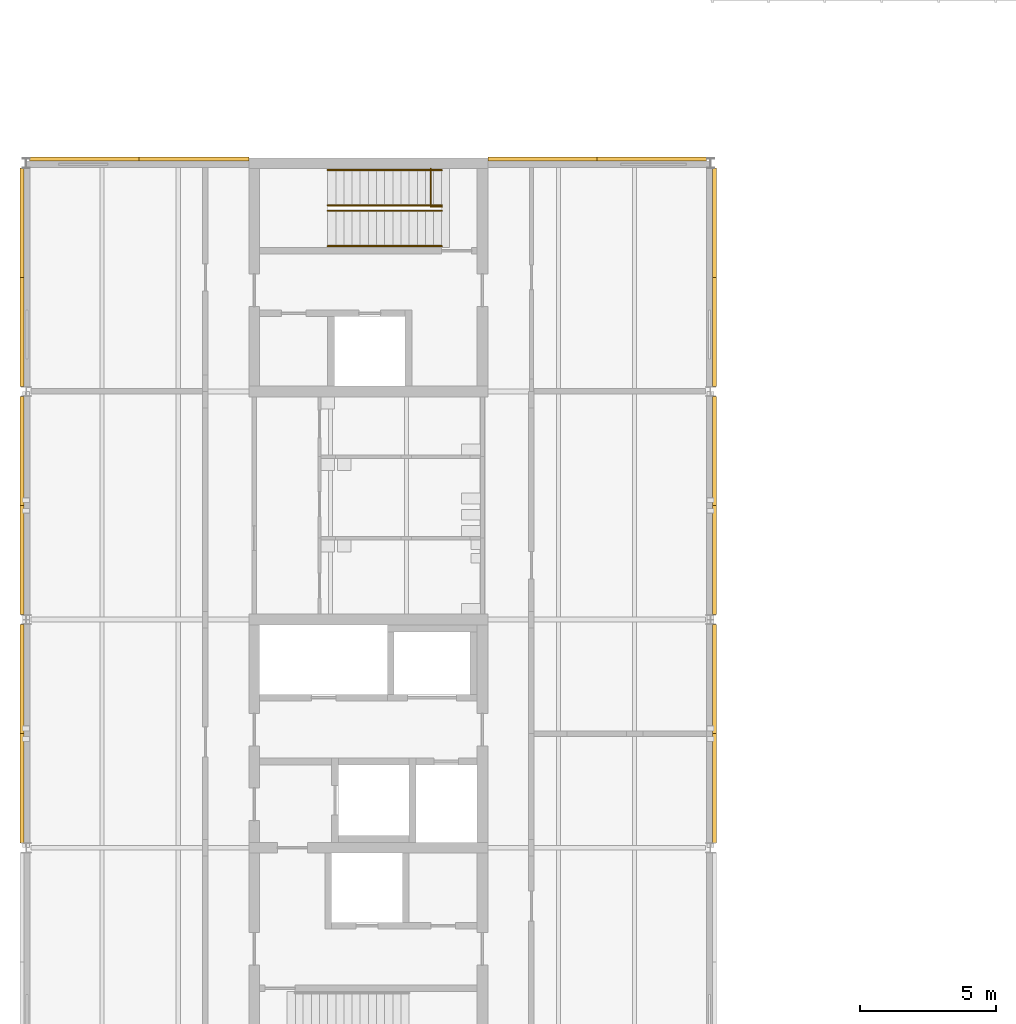
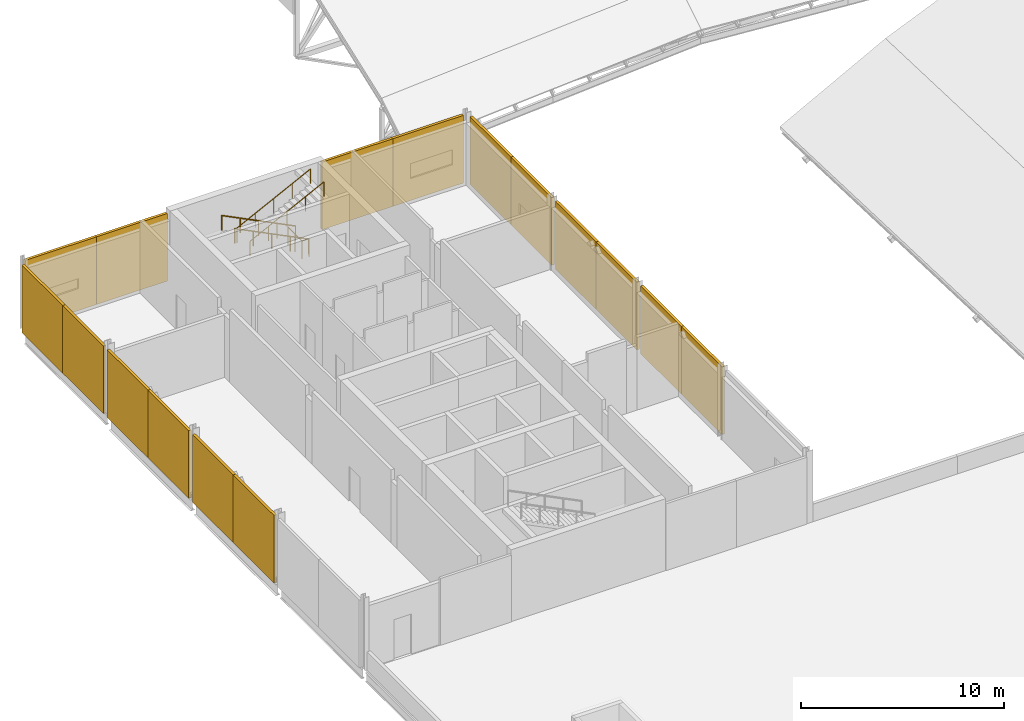
# One storey, part 71 of 76: 16 shading devices, 5 railings.
"""IFC4 building model written with IfcOpenShell, lengths in metres."""

import ifcopenshell
import ifcopenshell.guid

model = None  # the IFC model being written
_history = None  # IfcOwnerHistory: only IFC2X3 demands one
_inside = {}  # id of a spatial element -> (the spatial element, [elements in it])
_under = {}  # id of a project, library or spatial element -> (it, [spatial elements below it])
_declared = {}  # id of a project -> (the project, [libraries it declares])
_typed = {}  # id of a type object -> (the type object, [elements of that type])
_made_of = {}  # id of a material, layer set ... -> (it, [elements and type objects made of it])


def new_model(schema):
    """Start an empty IFC model of exactly this schema.

    Asked for "IFC4X3", IfcOpenShell would pick the latest addendum, in which some entities
    have other attributes; the version numbers below select the first issue.
    IFC2X3 requires an IfcOwnerHistory on every rooted entity: one is made here for all.
    """
    global model, _history
    if schema == "IFC4X3":
        model = ifcopenshell.file(schema_version=(4, 3, 0, 0))
    else:
        model = ifcopenshell.file(schema=schema)
    _inside.clear()
    _under.clear()
    _declared.clear()
    _typed.clear()
    _made_of.clear()
    _history = None
    if model.schema == "IFC2X3":
        org = make("IfcOrganization", Name="unknown")
        user = make(
            "IfcPersonAndOrganization",
            ThePerson=make("IfcPerson", FamilyName="unknown"),
            TheOrganization=org,
        )
        app = make(
            "IfcApplication",
            ApplicationDeveloper=org,
            Version="unknown",
            ApplicationFullName="unknown",
            ApplicationIdentifier="unknown",
        )
        _history = make(
            "IfcOwnerHistory",
            OwningUser=user,
            OwningApplication=app,
            ChangeAction="ADDED",
            CreationDate=0,
        )
    return model


def make(cls, **values):
    """One entity of the class cls with the attributes given. An attribute that is None is left unset."""
    return model.create_entity(
        cls, **{name: value for name, value in values.items() if value is not None}
    )


def rooted(cls, **values):
    """An entity with a GlobalId (a new one), such as an element, a storey or a relation."""
    return make(cls, GlobalId=ifcopenshell.guid.new(), OwnerHistory=_history, **values)


def si_unit(unit_type, name, prefix=None):
    """IfcSIUnit, for example si_unit("LENGTHUNIT", "METRE", prefix="MILLI")."""
    return make("IfcSIUnit", UnitType=unit_type, Prefix=prefix, Name=name)


def assignment(units):
    """IfcUnitAssignment: the units of a project."""
    return None if units is None else make("IfcUnitAssignment", Units=units)


def point(xyz):
    """IfcCartesianPoint."""
    return None if xyz is None else make("IfcCartesianPoint", Coordinates=xyz)


def direction(xyz):
    """IfcDirection."""
    return None if xyz is None else make("IfcDirection", DirectionRatios=xyz)


def frame(location, z_axis=None, x_axis=None):
    """IfcAxis2Placement3D, a coordinate frame: its origin and axes. An axis left out is left unset."""
    return make(
        "IfcAxis2Placement3D",
        Location=point(location),
        Axis=direction(z_axis),
        RefDirection=direction(x_axis),
    )


def frame_2d(location, x_axis=None):
    """IfcAxis2Placement2D, a coordinate frame in the plane: its origin and x axis."""
    return make(
        "IfcAxis2Placement2D", Location=point(location), RefDirection=direction(x_axis)
    )


def origin():
    """The frame at (0, 0, 0) with its axes left unset."""
    return frame((0.0, 0.0, 0.0))


def origin_2d():
    """The frame at (0, 0) in the plane with its x axis left unset."""
    return frame_2d((0.0, 0.0))


def place(relative_to, where):
    """IfcLocalPlacement: puts the frame where relative to a parent placement (None: the world)."""
    return make(
        "IfcLocalPlacement", PlacementRelTo=relative_to, RelativePlacement=where
    )


def context(
    kind, dimensions, precision=None, world=None, true_north=None, identifier=None
):
    """IfcGeometricRepresentationContext, for example the 3D "Model" context."""
    return make(
        "IfcGeometricRepresentationContext",
        ContextIdentifier=identifier,
        ContextType=kind,
        CoordinateSpaceDimension=dimensions,
        Precision=precision,
        WorldCoordinateSystem=world,
        TrueNorth=true_north,
    )


def subcontext(parent, identifier, kind, view, scale=None):
    """IfcGeometricRepresentationSubContext, for example "Body" below "Model"."""
    return make(
        "IfcGeometricRepresentationSubContext",
        ContextIdentifier=identifier,
        ContextType=kind,
        ParentContext=parent,
        TargetScale=scale,
        TargetView=view,
    )


def project(units=None, contexts=None):
    """IfcProject with its units and contexts."""
    return rooted(
        "IfcProject",
        Name="project",
        RepresentationContexts=contexts,
        UnitsInContext=assignment(units),
    )


def spatial(cls, under=None, at=None, **own):
    """A site, building, storey or space (cls), placed at a placement, below another one or the project."""
    s = rooted(cls, ObjectPlacement=at, **own)
    if under is not None:
        _under.setdefault(under.id(), (under, []))[1].append(s)
    return s


def profile(cls, at=None, kind="AREA", **sizes):
    """A parametric profile (cls). Its sizes go by their IFC names, for example OverallWidth=200.0."""
    return make(cls, ProfileType=kind, Position=at, **sizes)


def rectangle(**sizes):
    """IfcRectangleProfileDef."""
    return profile("IfcRectangleProfileDef", **sizes)


def circle(**sizes):
    """IfcCircleProfileDef."""
    return profile("IfcCircleProfileDef", **sizes)


def extrude(swept, where, along, depth):
    """IfcExtrudedAreaSolid: the profile swept, set in the frame where, extruded along a direction by depth."""
    return make(
        "IfcExtrudedAreaSolid",
        SweptArea=swept,
        Position=where,
        ExtrudedDirection=direction(along),
        Depth=depth,
    )


def shape(context_of_items, identifier, shape_type, items):
    """IfcShapeRepresentation: the items that make up one representation, for example the "Body"."""
    return make(
        "IfcShapeRepresentation",
        ContextOfItems=context_of_items,
        RepresentationIdentifier=identifier,
        RepresentationType=shape_type,
        Items=items,
    )


def material(Name=None, Category=None):
    """IfcMaterial."""
    return make("IfcMaterial", Name=Name, Category=Category)


def layer(
    of_material, thickness, ventilated=None, Name=None, Category=None, Priority=None
):
    """IfcMaterialLayer: one layer of a wall or slab, of a material (None: an air gap)."""
    return make(
        "IfcMaterialLayer",
        Material=of_material,
        LayerThickness=thickness,
        IsVentilated=ventilated,
        Name=Name,
        Category=Category,
        Priority=Priority,
    )


def layer_set(layers, Name=None):
    """IfcMaterialLayerSet."""
    return make("IfcMaterialLayerSet", MaterialLayers=layers, LayerSetName=Name)


def made_of(thing, what):
    """Note that an element or type object is made of a material, layer set ...; save() writes the relation."""
    if what is not None:
        _made_of.setdefault(what.id(), (what, []))[1].append(thing)
    return thing


def type_object(cls, material=None, **own):
    """A type object (cls), such as IfcWallType, which elements share."""
    return made_of(rooted(cls, **own), material)


def element(
    cls,
    number,
    at=None,
    inside=None,
    cuts=None,
    type_object=None,
    material=None,
    context=None,
    identifier="Body",
    shape_type=None,
    held_by="IfcProductDefinitionShape",
    body=None,
    shapes=None,
    **own,
):
    """One element of the class cls, such as IfcWall. Its Tag is "e" and its number.

    at: its placement. inside: the storey or other place that contains it. cuts: it is an
    opening in that element (IfcRelVoidsElement). A single representation is given by context,
    identifier, shape_type and body (its items); several are given by shapes. held_by: the class
    of the entity that holds the representations. save() writes the other relations.
    """
    e = rooted(cls, Tag="e%d" % number, ObjectPlacement=at, **own)
    if body is not None:
        shapes = [shape(context, identifier, shape_type, body)]
    if shapes is not None:
        e.Representation = make(held_by, Representations=shapes)
    if inside is not None:
        _inside.setdefault(inside.id(), (inside, []))[1].append(e)
    if cuts is not None:
        rooted(
            "IfcRelVoidsElement", RelatingBuildingElement=cuts, RelatedOpeningElement=e
        )
    if type_object is not None:
        _typed.setdefault(type_object.id(), (type_object, []))[1].append(e)
    return made_of(e, material)


def aggregate(whole, parts):
    """IfcRelAggregates: a whole, such as a stair, and the parts it consists of."""
    return rooted("IfcRelAggregates", RelatingObject=whole, RelatedObjects=parts)


def save(model, path):
    """Write the relations noted so far, then the file.

    IfcRelAggregates (storeys below a building ...), IfcRelContainedInSpatialStructure (elements
    in a storey), IfcRelDefinesByType, IfcRelAssociatesMaterial and IfcRelDeclares: one each for
    every whole, place, type object, material and project.
    """
    for whole, parts in _under.values():
        aggregate(whole, parts)
    for where, things in _inside.values():
        rooted(
            "IfcRelContainedInSpatialStructure",
            RelatedElements=things,
            RelatingStructure=where,
        )
    for kind, things in _typed.values():
        rooted("IfcRelDefinesByType", RelatedObjects=things, RelatingType=kind)
    for what, things in _made_of.values():
        rooted("IfcRelAssociatesMaterial", RelatedObjects=things, RelatingMaterial=what)
    for by, libraries in _declared.values():
        rooted("IfcRelDeclares", RelatingContext=by, RelatedDefinitions=libraries)
    model.write(path)


model = new_model("IFC4")

# Units and contexts
model_context = context("Model", 3, precision=1e-05, world=origin(), true_north=direction((0.0, 1.0)))
body_context = subcontext(model_context, "Body", "Model", "MODEL_VIEW")
ifc_project = project(units=[si_unit("LENGTHUNIT", "METRE"), si_unit("AREAUNIT", "SQUARE_METRE"), si_unit("VOLUMEUNIT", "CUBIC_METRE"), si_unit("PLANEANGLEUNIT", "RADIAN"), si_unit("MASSUNIT", "GRAM", prefix="KILO")], contexts=[model_context])

# Site, building, storey
site_placement = place(None, origin())
site = spatial("IfcSite", under=ifc_project, at=site_placement, CompositionType="ELEMENT")
building_placement = place(site_placement, origin())
building = spatial("IfcBuilding", under=site, at=building_placement, Name="Hlaing Beacon Police Headquarters", CompositionType="ELEMENT")
storey_placement = place(building_placement, frame((0.0, 0.0, 18.89990234375)))
storey = spatial("IfcBuildingStorey", under=building, at=storey_placement, Name="L04", CompositionType="ELEMENT", Elevation=18.89990234375)

# Shading devices
ifc_material_1 = material(Name="Perforated aluminium", Category="aluminium")
ifc_layer = layer(ifc_material_1, 0.14990234375)
ifc_layer_set = layer_set([ifc_layer], Name="Perforated aluminium")
shading_device_type = type_object("IfcShadingDeviceType", Name="Perforated screen panel 150", PredefinedType="JALOUSIE", material=ifc_layer_set)
for number, where, z_axis, x_axis, name in (
    (1, (33.75, 44.190185546875, 0.0), (0.0, 0.0, 1.0), (0.0, 1.0, 0.0), "Screen L04 E009"),
    (2, (33.75, 48.2099609375, 0.0), (0.0, 0.0, 1.0), (0.0, 1.0, 0.0), "Screen L04 E010"),
    (3, (33.75, 52.590087890625, 0.0), (0.0, 0.0, 1.0), (0.0, 1.0, 0.0), "Screen L04 E011"),
    (4, (33.75, 56.60986328125, 0.0), (0.0, 0.0, 1.0), (0.0, 1.0, 0.0), "Screen L04 E012"),
):
    element("IfcShadingDevice", number, at=place(storey_placement, frame(where, z_axis=z_axis, x_axis=x_axis)), inside=storey, type_object=shading_device_type, Name=name, PredefinedType="JALOUSIE", context=body_context, shape_type="SweptSolid", body=[
        extrude(rectangle(XDim=4.019775390625, YDim=0.14990234375, at=origin_2d()), origin(), (0.0, 0.0, 1.0), 4.070068359375),
    ])
for number, where, z_axis, x_axis, name in (
    (5, (33.75, 60.9912109375, 0.0), (0.0, 0.0, 1.0), (0.0, 1.0, 0.0), "Screen L04 E013"),
    (6, (33.75, 65.0126953125, 0.0), (0.0, 0.0, 1.0), (0.0, 1.0, 0.0), "Screen L04 E014"),
):
    element("IfcShadingDevice", number, at=place(storey_placement, frame(where, z_axis=z_axis, x_axis=x_axis)), inside=storey, type_object=shading_device_type, Name=name, PredefinedType="JALOUSIE", context=body_context, shape_type="SweptSolid", body=[
        extrude(rectangle(XDim=4.021484375, YDim=0.14990234375, at=origin_2d()), origin(), (0.0, 0.0, 1.0), 4.070068359375),
    ])
for number, where, z_axis, x_axis, name in (
    (7, (31.4375, 67.35009765625, 0.0), (0.0, 0.0, 1.0), (-1.0, 0.0, 0.0), "Screen L04 N015"),
    (8, (27.41259765625, 67.35009765625, 0.0), (0.0, 0.0, 1.0), (-1.0, 0.0, 0.0), "Screen L04 N016"),
):
    element("IfcShadingDevice", number, at=place(storey_placement, frame(where, z_axis=z_axis, x_axis=x_axis)), inside=storey, type_object=shading_device_type, Name=name, PredefinedType="JALOUSIE", context=body_context, shape_type="SweptSolid", body=[
        extrude(rectangle(XDim=4.02490234375, YDim=0.14990234375, at=origin_2d()), origin(), (0.0, 0.0, 1.0), 4.070068359375),
    ])
for number, where, z_axis, x_axis, name in (
    (9, (14.581787109375, 67.35009765625, 0.0), (0.0, 0.0, 1.0), (-1.0, 0.0, 0.0), "Screen L04 N017"),
    (10, (10.54541015625, 67.35009765625, 0.0), (0.0, 0.0, 1.0), (-1.0, 0.0, 0.0), "Screen L04 N018"),
):
    element("IfcShadingDevice", number, at=place(storey_placement, frame(where, z_axis=z_axis, x_axis=x_axis)), inside=storey, type_object=shading_device_type, Name=name, PredefinedType="JALOUSIE", context=body_context, shape_type="SweptSolid", body=[
        extrude(rectangle(XDim=4.03662109375, YDim=0.14990234375, at=origin_2d()), origin(), (0.0, 0.0, 1.0), 4.070068359375),
    ])
for number, where, z_axis, x_axis, name in (
    (11, (8.25, 65.0126953125, 0.0), (0.0, 0.0, 1.0), (0.0, -1.0, 0.0), "Screen L04 W019"),
    (12, (8.25, 60.9912109375, 0.0), (0.0, 0.0, 1.0), (0.0, -1.0, 0.0), "Screen L04 W020"),
):
    element("IfcShadingDevice", number, at=place(storey_placement, frame(where, z_axis=z_axis, x_axis=x_axis)), inside=storey, type_object=shading_device_type, Name=name, PredefinedType="JALOUSIE", context=body_context, shape_type="SweptSolid", body=[
        extrude(rectangle(XDim=4.021484375, YDim=0.14990234375, at=origin_2d()), origin(), (0.0, 0.0, 1.0), 4.070068359375),
    ])
for number, where, z_axis, x_axis, name in (
    (13, (8.25, 56.60986328125, 0.0), (0.0, 0.0, 1.0), (0.0, -1.0, 0.0), "Screen L04 W021"),
    (14, (8.25, 52.590087890625, 0.0), (0.0, 0.0, 1.0), (0.0, -1.0, 0.0), "Screen L04 W022"),
    (15, (8.25, 48.209716796875, 0.0), (0.0, 0.0, 1.0), (0.0, -1.0, 0.0), "Screen L04 W023"),
    (16, (8.25, 44.190185546875, 0.0), (0.0, 0.0, 1.0), (0.0, -1.0, 0.0), "Screen L04 W024"),
):
    element("IfcShadingDevice", number, at=place(storey_placement, frame(where, z_axis=z_axis, x_axis=x_axis)), inside=storey, type_object=shading_device_type, Name=name, PredefinedType="JALOUSIE", context=body_context, shape_type="SweptSolid", body=[
        extrude(rectangle(XDim=4.019775390625, YDim=0.14990234375, at=origin_2d()), origin(), (0.0, 0.0, 1.0), 4.070068359375),
    ])

# Railings
ifc_material_2 = material(Name="Stainless steel", Category="steel")
railing_type_1 = type_object("IfcRailingType", Name="Stair guard 1100", PredefinedType="GUARDRAIL", material=ifc_material_2)
railing_placement = place(storey_placement, frame((23.300048828125, 67.0, 0.0)))
element("IfcRailing", 17, at=railing_placement, inside=storey, type_object=railing_type_1, Name="Guard ST-P", PredefinedType="GUARDRAIL", context=body_context, shape_type="SweptSolid", body=[
    extrude(circle(Radius=0.02392578125, at=origin_2d()), frame((0.0, 0.0, 1.076171875), z_axis=(0.0, -1.0, 0.0), x_axis=(1.0, 0.0, 0.0)), (0.0, 0.0, 1.0), 1.39990234375),
    extrude(circle(Radius=0.02392578125, at=origin_2d()), frame((0.0, -1.39990234375, 1.076171875), z_axis=(1.0, 0.0, 0.0), x_axis=(0.0, 1.0, 0.0)), (0.0, 0.0, 1.0), 0.39990234375),
    extrude(circle(Radius=0.02099609375, at=origin_2d()), origin(), (0.0, 0.0, 1.0), 1.052001953125),
    extrude(circle(Radius=0.02099609375, at=origin_2d()), frame((0.0, -0.699951171875, 0.0)), (0.0, 0.0, 1.0), 1.052001953125),
    extrude(circle(Radius=0.02099609375, at=origin_2d()), frame((0.0, -1.39990234375, 0.0)), (0.0, 0.0, 1.0), 1.052001953125),
    extrude(circle(Radius=0.02099609375, at=origin_2d()), frame((0.39990234375, -1.39990234375, 0.0)), (0.0, 0.0, 1.0), 1.052001953125),
])
ifc_material_3 = material(Name="Stainless steel", Category="steel")
railing_type_2 = type_object("IfcRailingType", Name="Stair handrail 900", PredefinedType="HANDRAIL", material=ifc_material_3)
for number, where, name in (
    (18, (23.699951171875, 66.949951171875, 0.150146484375), "Handrail ST-P"),
    (19, (23.699951171875, 65.64990234375, 0.150146484375), "Handrail ST-P"),
):
    element("IfcRailing", number, at=place(storey_placement, frame(where)), inside=storey, type_object=railing_type_2, Name=name, PredefinedType="HANDRAIL", context=body_context, shape_type="SweptSolid", body=[
        extrude(circle(Radius=0.02392578125, at=origin_2d()), frame((0.0, 0.0, 0.8759765625), z_axis=(-0.894437589381, 0.0, 0.447192798132), x_axis=(0.0, -1.0, 0.0)), (0.0, 0.0, 1.0), 4.695556640625),
        extrude(circle(Radius=0.02099609375, at=origin_2d()), origin(), (0.0, 0.0, 1.0), 0.851806640625),
        extrude(circle(Radius=0.02099609375, at=origin_2d()), frame((-1.050048828125, 0.0, 0.52490234375)), (0.0, 0.0, 1.0), 0.851806640625),
        extrude(circle(Radius=0.02099609375, at=origin_2d()), frame((-2.10009765625, 0.0, 1.0498046875)), (0.0, 0.0, 1.0), 0.851806640625),
        extrude(circle(Radius=0.02099609375, at=origin_2d()), frame((-3.14990234375, 0.0, 1.574951171875)), (0.0, 0.0, 1.0), 0.851806640625),
        extrude(circle(Radius=0.02099609375, at=origin_2d()), frame((-4.199951171875, 0.0, 2.099853515625)), (0.0, 0.0, 1.0), 0.851806640625),
    ])
for number, where, name in (
    (20, (19.5, 65.449951171875, 2.400146484375), "Handrail ST-P"),
    (21, (19.5, 64.14990234375, 2.400146484375), "Handrail ST-P"),
):
    element("IfcRailing", number, at=place(storey_placement, frame(where)), inside=storey, type_object=railing_type_2, Name=name, PredefinedType="HANDRAIL", context=body_context, shape_type="SweptSolid", body=[
        extrude(circle(Radius=0.02392578125, at=origin_2d()), frame((0.0, 0.0, 0.8759765625), z_axis=(0.894437589381, 0.0, 0.447192798132), x_axis=(0.0, 1.0, 0.0)), (0.0, 0.0, 1.0), 4.695556640625),
        extrude(circle(Radius=0.02099609375, at=origin_2d()), origin(), (0.0, 0.0, 1.0), 0.851806640625),
        extrude(circle(Radius=0.02099609375, at=origin_2d()), frame((1.050048828125, 0.0, 0.52490234375)), (0.0, 0.0, 1.0), 0.851806640625),
        extrude(circle(Radius=0.02099609375, at=origin_2d()), frame((2.10009765625, 0.0, 1.0498046875)), (0.0, 0.0, 1.0), 0.851806640625),
        extrude(circle(Radius=0.02099609375, at=origin_2d()), frame((3.14990234375, 0.0, 1.574951171875)), (0.0, 0.0, 1.0), 0.851806640625),
        extrude(circle(Radius=0.02099609375, at=origin_2d()), frame((4.199951171875, 0.0, 2.099853515625)), (0.0, 0.0, 1.0), 0.851806640625),
    ])

save(model, "model.ifc")
